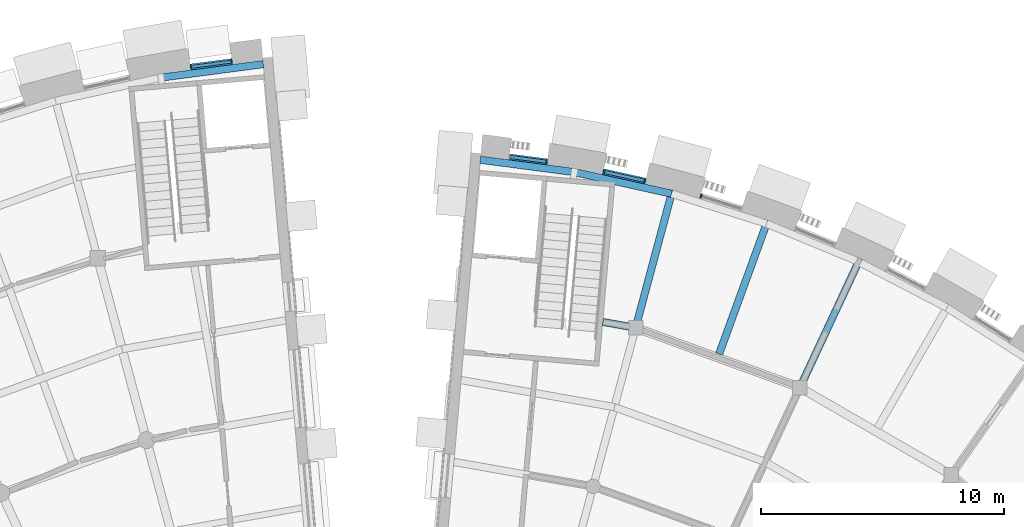
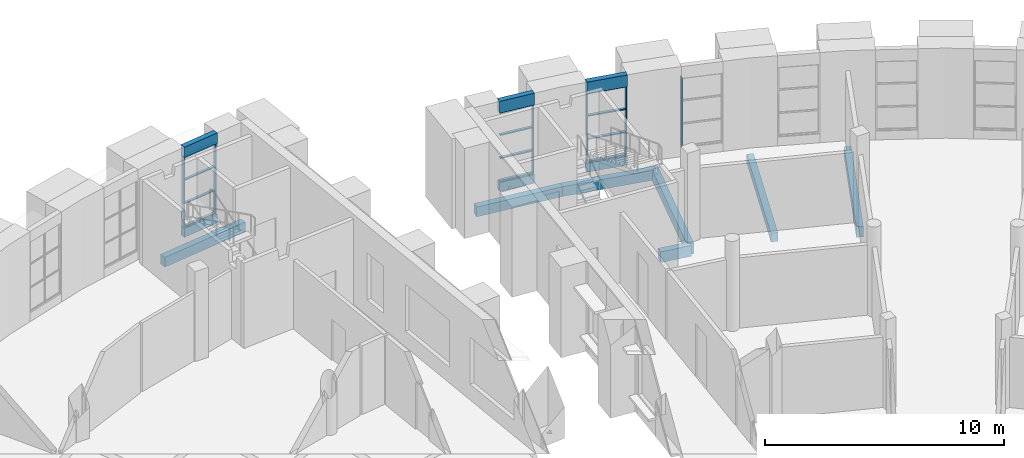
# One storey, part 23 of 66: 18 members, 13 beams, 4 elements without a shape of their own.
"""IFC4 building model written with IfcOpenShell, lengths in metres."""

from ifc_helpers import new_model, si_unit, direction, frame, origin, origin_2d, place, context, subcontext, project, spatial, rectangle, extrude, material, layer, layer_set, material_profile, profile_set, type_object, element, aggregate, save


model = new_model("IFC4")

# Units and contexts
model_context = context("Model", 3, precision=1e-05, world=origin(), true_north=direction((0.0, 1.0)))
body_context = subcontext(model_context, "Body", "Model", "MODEL_VIEW")
ifc_project = project(units=[si_unit("LENGTHUNIT", "METRE"), si_unit("AREAUNIT", "SQUARE_METRE"), si_unit("VOLUMEUNIT", "CUBIC_METRE"), si_unit("PLANEANGLEUNIT", "RADIAN"), si_unit("MASSUNIT", "GRAM", prefix="KILO")], contexts=[model_context])

# Site, building, storey
site_placement = place(None, origin())
site = spatial("IfcSite", under=ifc_project, at=site_placement, CompositionType="ELEMENT")
building_placement = place(site_placement, origin())
building = spatial("IfcBuilding", under=site, at=building_placement, Name="Volute Hill Aquarium", CompositionType="ELEMENT")
storey_placement = place(building_placement, frame((0.0, 0.0, 4.60009765625)))
storey = spatial("IfcBuildingStorey", under=building, at=storey_placement, Name="L02", CompositionType="ELEMENT", Elevation=4.60009765625)

# Beams
ifc_material_1 = material(Name="Concrete C35/45", Category="concrete")
ifc_material_profile_1 = material_profile(ifc_material_1, rectangle(XDim=0.300048828125, YDim=0.550048828125, at=origin_2d()), Name="RC beam 300x550")
ifc_profile_set_1 = profile_set([ifc_material_profile_1], Name="Concrete C35/45")
beam_type_1 = type_object("IfcBeamType", Name="Beam 300x550 C35/45", PredefinedType="BEAM", material=ifc_profile_set_1)
for number, where, z_axis, x_axis, name in (
    (1, (17.448974609375, 37.419189453125, -0.565185546875), (0.422609588136, 0.906311831554, 0.0), (-0.906311831554, 0.422609588136, 0.0), "bm/S5/L02/rad3.12"),
    (2, (10.68603515625, 39.880615234375, -0.565185546875), (0.258815877772, 0.965926674967, 0.0), (-0.965926674967, 0.258815877772, 0.0), "bm/S5/L02/rad4.16"),
):
    element("IfcBeam", number, at=place(storey_placement, frame(where, z_axis=z_axis, x_axis=x_axis)), inside=storey, type_object=beam_type_1, Name=name, PredefinedType="BEAM", context=body_context, shape_type="SweptSolid", body=[
        extrude(rectangle(XDim=0.300048828125, YDim=0.550048828125, at=origin_2d()), origin(), (0.0, 0.0, 1.0), 5.862548828125),
    ])
beam_1_placement = place(storey_placement, frame((10.68603515625, 39.880615234375, -0.565185546875), z_axis=(-0.984805002764, 0.173663774378, 0.0), x_axis=(-0.173663774378, -0.984805002764, 0.0)))
element("IfcBeam", 3, at=beam_1_placement, inside=storey, type_object=beam_type_1, Name="bm/S5/L02/ring3.31", PredefinedType="BEAM", context=body_context, shape_type="SweptSolid", body=[
    extrude(rectangle(XDim=0.300048828125, YDim=0.550048828125, at=origin_2d()), origin(), (0.0, 0.0, 1.0), 1.375),
])

# Curtain wall, member
ifc_material_2 = material(Name="Aluminium", Category="aluminium")
ifc_layer_1 = layer(ifc_material_2, 0.25)
ifc_layer_set_1 = layer_set([ifc_layer_1], Name="Curtain wall niche S5 module 1786")
curtain_wall_type_1 = type_object("IfcCurtainWallType", Name="Curtain wall niche S5 module 1786", PredefinedType="NOTDEFINED", material=ifc_layer_set_1)
curtain_wall_1_placement = place(storey_placement, origin())
curtain_wall_1 = element("IfcCurtainWall", 4, at=curtain_wall_1_placement, inside=storey, type_object=curtain_wall_type_1, Name="Curtain wall CW S5 L02 8", PredefinedType="NOTDEFINED")
ifc_material_3 = material(Name="Aluminium", Category="aluminium")
ifc_material_profile_2 = material_profile(ifc_material_3, rectangle(XDim=0.159912109375, YDim=0.06005859375, at=origin_2d()), Name="Curtain wall mullion S5 60x160")
ifc_profile_set_2 = profile_set([ifc_material_profile_2], Name="Aluminium")
member_type_1 = type_object("IfcMemberType", Name="Curtain wall mullion S5 60x160", PredefinedType="MULLION", material=ifc_profile_set_2)
member_1_placement = place(storey_placement, frame((13.37939453125, 45.30322265625, 0.449951171875), z_axis=(0.0, 0.0, 1.0), x_axis=(-0.300703569139, -0.953717653977, 0.0)))
member_1 = element("IfcMember", 5, at=member_1_placement, type_object=member_type_1, Name="CW mullion 2", PredefinedType="MULLION", context=body_context, shape_type="SweptSolid", body=[
    extrude(rectangle(XDim=0.159912109375, YDim=0.06005859375, at=origin_2d()), origin(), (0.0, 0.0, 1.0), 3.550048828125),
])
aggregate(curtain_wall_1, [member_1])

# Curtain wall, members
curtain_wall_2_placement = place(storey_placement, origin())
curtain_wall_2 = element("IfcCurtainWall", 6, at=curtain_wall_2_placement, inside=storey, type_object=curtain_wall_type_1, Name="Curtain wall CW S5 L02 9", PredefinedType="NOTDEFINED")
member_2_placement = place(storey_placement, frame((11.064697265625, 45.92333984375, 0.449951171875), z_axis=(0.0, 0.0, 1.0), x_axis=(-0.216422253758, -0.976299855617, 0.0)))
member_2 = element("IfcMember", 7, at=member_2_placement, type_object=member_type_1, Name="CW mullion 1", PredefinedType="MULLION", context=body_context, shape_type="SweptSolid", body=[
    extrude(rectangle(XDim=0.159912109375, YDim=0.06005859375, at=origin_2d()), origin(), (0.0, 0.0, 1.0), 3.550048828125),
])
member_3_placement = place(storey_placement, frame((9.3798828125, 46.296875, 0.449951171875), z_axis=(0.0, 0.0, 1.0), x_axis=(-0.216422253758, -0.976299855617, 0.0)))
member_3 = element("IfcMember", 8, at=member_3_placement, type_object=member_type_1, Name="CW mullion 2", PredefinedType="MULLION", context=body_context, shape_type="SweptSolid", body=[
    extrude(rectangle(XDim=0.159912109375, YDim=0.06005859375, at=origin_2d()), origin(), (0.0, 0.0, 1.0), 3.550048828125),
])

# Curtain wall, member
ifc_material_4 = material(Name="Aluminium", Category="aluminium")
ifc_layer_2 = layer(ifc_material_4, 0.25)
ifc_layer_set_2 = layer_set([ifc_layer_2], Name="Curtain wall niche S5 module 1585")
curtain_wall_type_2 = type_object("IfcCurtainWallType", Name="Curtain wall niche S5 module 1585", PredefinedType="NOTDEFINED", material=ifc_layer_set_2)
curtain_wall_3_placement = place(storey_placement, origin())
curtain_wall_3 = element("IfcCurtainWall", 9, at=curtain_wall_3_placement, inside=storey, type_object=curtain_wall_type_2, Name="Curtain wall CW S5 L02 10", PredefinedType="NOTDEFINED")
member_4_placement = place(storey_placement, frame((7.020263671875, 46.712890625, 0.449951171875), z_axis=(0.0, 0.0, 1.0), x_axis=(-0.130539029372, -0.991443171246, 0.0)))
member_4 = element("IfcMember", 10, at=member_4_placement, type_object=member_type_1, Name="CW mullion 1", PredefinedType="MULLION", context=body_context, shape_type="SweptSolid", body=[
    extrude(rectangle(XDim=0.159912109375, YDim=0.06005859375, at=origin_2d()), origin(), (0.0, 0.0, 1.0), 3.550048828125),
])

# Curtain wall, members
ifc_material_5 = material(Name="Aluminium", Category="aluminium")
ifc_layer_3 = layer(ifc_material_5, 0.25)
ifc_layer_set_3 = layer_set([ifc_layer_3], Name="Curtain wall niche S6 module 1734")
curtain_wall_type_3 = type_object("IfcCurtainWallType", Name="Curtain wall niche S6 module 1734", PredefinedType="NOTDEFINED", material=ifc_layer_set_3)
curtain_wall_4_placement = place(storey_placement, origin())
curtain_wall_4 = element("IfcCurtainWall", 11, at=curtain_wall_4_placement, inside=storey, type_object=curtain_wall_type_3, Name="Curtain wall CW S6 L02 1", PredefinedType="NOTDEFINED")
ifc_material_6 = material(Name="Aluminium", Category="aluminium")
ifc_material_profile_3 = material_profile(ifc_material_6, rectangle(XDim=0.169921875, YDim=0.050048828125, at=origin_2d()), Name="Curtain wall mullion S6 50x170")
ifc_profile_set_3 = profile_set([ifc_material_profile_3], Name="Aluminium")
member_type_2 = type_object("IfcMemberType", Name="Curtain wall mullion S6 50x170", PredefinedType="MULLION", material=ifc_profile_set_3)
member_5_placement = place(storey_placement, frame((-5.9443359375, 50.8349609375, 0.449951171875), z_axis=(0.0, 0.0, 1.0), x_axis=(0.130524493298, -0.99144508504, 0.0)))
member_5 = element("IfcMember", 12, at=member_5_placement, type_object=member_type_2, Name="CW mullion 1", PredefinedType="MULLION", context=body_context, shape_type="SweptSolid", body=[
    extrude(rectangle(XDim=0.169921875, YDim=0.050048828125, at=origin_2d()), origin(), (0.0, 0.0, 1.0), 3.599853515625),
])
member_6_placement = place(storey_placement, frame((-7.61376953125, 50.615234375, 0.449951171875), z_axis=(0.0, 0.0, 1.0), x_axis=(0.130524493298, -0.99144508504, 0.0)))
member_6 = element("IfcMember", 13, at=member_6_placement, type_object=member_type_2, Name="CW mullion 2", PredefinedType="MULLION", context=body_context, shape_type="SweptSolid", body=[
    extrude(rectangle(XDim=0.169921875, YDim=0.050048828125, at=origin_2d()), origin(), (0.0, 0.0, 1.0), 3.599853515625),
])

# Member
ifc_material_7 = material(Name="Aluminium", Category="aluminium")
ifc_material_profile_4 = material_profile(ifc_material_7, rectangle(XDim=0.1298828125, YDim=0.06005859375, at=origin_2d()), Name="Curtain wall transom S5 60x130")
ifc_profile_set_4 = profile_set([ifc_material_profile_4], Name="Aluminium")
member_type_3 = type_object("IfcMemberType", Name="Curtain wall transom S5 60x130", PredefinedType="USERDEFINED", material=ifc_profile_set_4)
member_7_placement = place(storey_placement, frame((11.035400390625, 45.929931640625, 0.47998046875), z_axis=(-0.976317934906, 0.216340680366, 0.0), x_axis=(-0.216340680366, -0.976317934906, 0.0)))
member_7 = element("IfcMember", 14, at=member_7_placement, type_object=member_type_3, Name="CW transom 1.1", ObjectType="TRANSOM", PredefinedType="USERDEFINED", context=body_context, shape_type="SweptSolid", body=[
    extrude(rectangle(XDim=0.1298828125, YDim=0.06005859375, at=origin_2d()), origin(), (0.0, 0.0, 1.0), 1.665771484375),
])

member_8_placement = place(storey_placement, frame((11.035400390625, 45.929931640625, 1.63330078125), z_axis=(-0.976317934906, 0.216340680366, 0.0), x_axis=(-0.216340680366, -0.976317934906, 0.0)))
member_8 = element("IfcMember", 15, at=member_8_placement, type_object=member_type_3, Name="CW transom 1.2", ObjectType="TRANSOM", PredefinedType="USERDEFINED", context=body_context, shape_type="SweptSolid", body=[
    extrude(rectangle(XDim=0.1298828125, YDim=0.06005859375, at=origin_2d()), origin(), (0.0, 0.0, 1.0), 1.665771484375),
])

member_9_placement = place(storey_placement, frame((11.035400390625, 45.929931640625, 2.816650390625), z_axis=(-0.976317934906, 0.216340680366, 0.0), x_axis=(-0.216340680366, -0.976317934906, 0.0)))
member_9 = element("IfcMember", 16, at=member_9_placement, type_object=member_type_3, Name="CW transom 1.3", ObjectType="TRANSOM", PredefinedType="USERDEFINED", context=body_context, shape_type="SweptSolid", body=[
    extrude(rectangle(XDim=0.1298828125, YDim=0.06005859375, at=origin_2d()), origin(), (0.0, 0.0, 1.0), 1.665771484375),
])

member_10_placement = place(storey_placement, frame((11.035400390625, 45.929931640625, 3.969970703125), z_axis=(-0.976317934906, 0.216340680366, 0.0), x_axis=(-0.216340680366, -0.976317934906, 0.0)))
member_10 = element("IfcMember", 17, at=member_10_placement, type_object=member_type_3, Name="CW transom 1.4", ObjectType="TRANSOM", PredefinedType="USERDEFINED", context=body_context, shape_type="SweptSolid", body=[
    extrude(rectangle(XDim=0.1298828125, YDim=0.06005859375, at=origin_2d()), origin(), (0.0, 0.0, 1.0), 1.665771484375),
])

aggregate(curtain_wall_2, [member_2, member_3, member_7, member_8, member_9, member_10])

member_11_placement = place(storey_placement, frame((6.990478515625, 46.716796875, 0.47998046875), z_axis=(-0.99143330185, 0.130613965493, 0.0), x_axis=(-0.130613965493, -0.99143330185, 0.0)))
member_11 = element("IfcMember", 18, at=member_11_placement, type_object=member_type_3, Name="CW transom 1.1", ObjectType="TRANSOM", PredefinedType="USERDEFINED", context=body_context, shape_type="SweptSolid", body=[
    extrude(rectangle(XDim=0.1298828125, YDim=0.06005859375, at=origin_2d()), origin(), (0.0, 0.0, 1.0), 1.46533203125),
])

member_12_placement = place(storey_placement, frame((6.990478515625, 46.716796875, 1.63330078125), z_axis=(-0.99143330185, 0.130613965493, 0.0), x_axis=(-0.130613965493, -0.99143330185, 0.0)))
member_12 = element("IfcMember", 19, at=member_12_placement, type_object=member_type_3, Name="CW transom 1.2", ObjectType="TRANSOM", PredefinedType="USERDEFINED", context=body_context, shape_type="SweptSolid", body=[
    extrude(rectangle(XDim=0.1298828125, YDim=0.06005859375, at=origin_2d()), origin(), (0.0, 0.0, 1.0), 1.46533203125),
])

member_13_placement = place(storey_placement, frame((6.990478515625, 46.716796875, 2.816650390625), z_axis=(-0.99143330185, 0.130613965493, 0.0), x_axis=(-0.130613965493, -0.99143330185, 0.0)))
member_13 = element("IfcMember", 20, at=member_13_placement, type_object=member_type_3, Name="CW transom 1.3", ObjectType="TRANSOM", PredefinedType="USERDEFINED", context=body_context, shape_type="SweptSolid", body=[
    extrude(rectangle(XDim=0.1298828125, YDim=0.06005859375, at=origin_2d()), origin(), (0.0, 0.0, 1.0), 1.46533203125),
])

member_14_placement = place(storey_placement, frame((6.990478515625, 46.716796875, 3.969970703125), z_axis=(-0.99143330185, 0.130613965493, 0.0), x_axis=(-0.130613965493, -0.99143330185, 0.0)))
member_14 = element("IfcMember", 21, at=member_14_placement, type_object=member_type_3, Name="CW transom 1.4", ObjectType="TRANSOM", PredefinedType="USERDEFINED", context=body_context, shape_type="SweptSolid", body=[
    extrude(rectangle(XDim=0.1298828125, YDim=0.06005859375, at=origin_2d()), origin(), (0.0, 0.0, 1.0), 1.46533203125),
])

aggregate(curtain_wall_3, [member_4, member_11, member_12, member_13, member_14])

ifc_material_8 = material(Name="Aluminium", Category="aluminium")
ifc_material_profile_5 = material_profile(ifc_material_8, rectangle(XDim=0.1201171875, YDim=0.050048828125, at=origin_2d()), Name="Curtain wall transom S6 50x120")
ifc_profile_set_5 = profile_set([ifc_material_profile_5], Name="Aluminium")
member_type_4 = type_object("IfcMemberType", Name="Curtain wall transom S6 50x120", PredefinedType="USERDEFINED", material=ifc_profile_set_5)
member_15_placement = place(storey_placement, frame((-5.96923828125, 50.83154296875, 0.474853515625), z_axis=(-0.991452260702, -0.130469976423, 0.0), x_axis=(0.130469976423, -0.991452260702, 0.0)))
member_15 = element("IfcMember", 22, at=member_15_placement, type_object=member_type_4, Name="CW transom 1.1", ObjectType="TRANSOM", PredefinedType="USERDEFINED", context=body_context, shape_type="SweptSolid", body=[
    extrude(rectangle(XDim=0.1201171875, YDim=0.050048828125, at=origin_2d()), origin(), (0.0, 0.0, 1.0), 1.633544921875),
])

member_16_placement = place(storey_placement, frame((-5.96923828125, 50.83154296875, 1.64990234375), z_axis=(-0.991452260702, -0.130469976423, 0.0), x_axis=(0.130469976423, -0.991452260702, 0.0)))
member_16 = element("IfcMember", 23, at=member_16_placement, type_object=member_type_4, Name="CW transom 1.2", ObjectType="TRANSOM", PredefinedType="USERDEFINED", context=body_context, shape_type="SweptSolid", body=[
    extrude(rectangle(XDim=0.1201171875, YDim=0.050048828125, at=origin_2d()), origin(), (0.0, 0.0, 1.0), 1.633544921875),
])

member_17_placement = place(storey_placement, frame((-5.96923828125, 50.83154296875, 2.849853515625), z_axis=(-0.991452260702, -0.130469976423, 0.0), x_axis=(0.130469976423, -0.991452260702, 0.0)))
member_17 = element("IfcMember", 24, at=member_17_placement, type_object=member_type_4, Name="CW transom 1.3", ObjectType="TRANSOM", PredefinedType="USERDEFINED", context=body_context, shape_type="SweptSolid", body=[
    extrude(rectangle(XDim=0.1201171875, YDim=0.050048828125, at=origin_2d()), origin(), (0.0, 0.0, 1.0), 1.633544921875),
])

member_18_placement = place(storey_placement, frame((-5.96923828125, 50.83154296875, 4.02490234375), z_axis=(-0.991452260702, -0.130469976423, 0.0), x_axis=(0.130469976423, -0.991452260702, 0.0)))
member_18 = element("IfcMember", 25, at=member_18_placement, type_object=member_type_4, Name="CW transom 1.4", ObjectType="TRANSOM", PredefinedType="USERDEFINED", context=body_context, shape_type="SweptSolid", body=[
    extrude(rectangle(XDim=0.1201171875, YDim=0.050048828125, at=origin_2d()), origin(), (0.0, 0.0, 1.0), 1.633544921875),
])

aggregate(curtain_wall_4, [member_5, member_6, member_15, member_16, member_17, member_18])

# Beams
ifc_material_9 = material(Name="Concrete C35/45", Category="concrete")
ifc_material_profile_6 = material_profile(ifc_material_9, rectangle(XDim=0.300048828125, YDim=0.5, at=origin_2d()), Name="RC edge beam 300x500")
ifc_profile_set_6 = profile_set([ifc_material_profile_6], Name="Concrete C35/45")
beam_type_2 = type_object("IfcBeamType", Name="Edge beam 300x500 C35/45", PredefinedType="BEAM", material=ifc_profile_set_6)
beam_2_placement = place(storey_placement, frame((12.16455078125, 45.3984375, -0.5400390625), z_axis=(-0.97629760978, 0.216432384677, 0.0), x_axis=(-0.216432384677, -0.97629760978, 0.0)))
element("IfcBeam", 26, at=beam_2_placement, inside=storey, type_object=beam_type_2, Name="bm/S5/L02/edgeO.50", PredefinedType="BEAM", context=body_context, shape_type="SweptSolid", body=[
    extrude(rectangle(XDim=0.300048828125, YDim=0.5, at=origin_2d()), origin(), (0.0, 0.0, 1.0), 4.100341796875),
])
beam_3_placement = place(storey_placement, frame((8.161376953125, 46.285888671875, -0.5400390625), z_axis=(-0.99144470424, 0.130527385764, 0.0), x_axis=(-0.130527385764, -0.99144470424, 0.0)))
element("IfcBeam", 27, at=beam_3_placement, inside=storey, type_object=beam_type_2, Name="bm/S5/L02/edgeO.51", PredefinedType="BEAM", context=body_context, shape_type="SweptSolid", body=[
    extrude(rectangle(XDim=0.300048828125, YDim=0.5, at=origin_2d()), origin(), (0.0, 0.0, 1.0), 3.89990234375),
])
beam_4_placement = place(storey_placement, frame((-4.63916015625, 50.72998046875, -0.570068359375), z_axis=(-0.991439606288, -0.130566102354, 0.0), x_axis=(0.130566102354, -0.991439606288, 0.0)))
element("IfcBeam", 28, at=beam_4_placement, inside=storey, type_object=beam_type_2, Name="bm/S6/L02/edgeO.42", PredefinedType="BEAM", context=body_context, shape_type="SweptSolid", body=[
    extrude(rectangle(XDim=0.300048828125, YDim=0.5, at=origin_2d()), origin(), (0.0, 0.0, 1.0), 4.24462890625),
])
ifc_material_10 = material(Name="Concrete C35/45", Category="concrete")
ifc_material_profile_7 = material_profile(ifc_material_10, rectangle(XDim=0.300048828125, YDim=0.449951171875, at=origin_2d()), Name="RC joist 300x450")
ifc_profile_set_7 = profile_set([ifc_material_profile_7], Name="Concrete C35/45")
beam_type_3 = type_object("IfcBeamType", Name="Joist 300x450 C35/45", PredefinedType="BEAM", material=ifc_profile_set_7)
beam_5_placement = place(storey_placement, frame((14.12109375, 38.797607421875, -0.51513671875), z_axis=(0.342033956796, 0.939687592979, 0.0), x_axis=(-0.939687592979, 0.342033956796, 0.0)))
element("IfcBeam", 29, at=beam_5_placement, inside=storey, type_object=beam_type_3, Name="bm/S5/L02/rjst4", PredefinedType="BEAM", context=body_context, shape_type="SweptSolid", body=[
    extrude(rectangle(XDim=0.300048828125, YDim=0.449951171875, at=origin_2d()), origin(), (0.0, 0.0, 1.0), 5.8623046875),
])
ifc_material_11 = material(Name="Concrete C35/45", Category="concrete")
ifc_material_profile_8 = material_profile(ifc_material_11, rectangle(XDim=0.25, YDim=0.550048828125, at=origin_2d()), Name="RC beam 250x550")
ifc_profile_set_8 = profile_set([ifc_material_profile_8], Name="Concrete C35/45")
beam_type_4 = type_object("IfcBeamType", Name="Niche head beam RC 250x550 C35/45", PredefinedType="BEAM", material=ifc_profile_set_8)
beam_6_placement = place(storey_placement, frame((-5.919677734375, 50.838134765625, 4.324951171875), z_axis=(-0.991441828204, -0.130549229367, 0.0), x_axis=(0.130549229367, -0.991441828204, 0.0)))
element("IfcBeam", 30, at=beam_6_placement, inside=storey, type_object=beam_type_4, Name="Niche head beam OWB S6 L02 1", PredefinedType="BEAM", context=body_context, shape_type="SweptSolid", body=[
    extrude(rectangle(XDim=0.25, YDim=0.550048828125, at=origin_2d()), origin(), (0.0, 0.0, 1.0), 1.733642578125),
])
ifc_material_12 = material(Name="Concrete C35/45", Category="concrete")
ifc_material_profile_9 = material_profile(ifc_material_12, rectangle(XDim=0.25, YDim=0.60009765625, at=origin_2d()), Name="RC beam 250x600")
ifc_profile_set_9 = profile_set([ifc_material_profile_9], Name="Concrete C35/45")
beam_type_5 = type_object("IfcBeamType", Name="Niche head beam RC 250x600 C35/45", PredefinedType="BEAM", material=ifc_profile_set_9)
beam_7_placement = place(storey_placement, frame((11.093994140625, 45.9169921875, 4.2998046875), z_axis=(-0.97629311454, 0.216452661109, 0.0), x_axis=(-0.216452661109, -0.97629311454, 0.0)))
element("IfcBeam", 31, at=beam_7_placement, inside=storey, type_object=beam_type_5, Name="Niche head beam OWB S5 L02 9", PredefinedType="BEAM", context=body_context, shape_type="SweptSolid", body=[
    extrude(rectangle(XDim=0.25, YDim=0.60009765625, at=origin_2d()), origin(), (0.0, 0.0, 1.0), 1.785400390625),
])
beam_8_placement = place(storey_placement, frame((7.0498046875, 46.708984375, 4.2998046875), z_axis=(-0.991436464923, 0.130589953752, 0.0), x_axis=(-0.130589953752, -0.991436464923, 0.0)))
element("IfcBeam", 32, at=beam_8_placement, inside=storey, type_object=beam_type_5, Name="Niche head beam OWB S5 L02 10", PredefinedType="BEAM", context=body_context, shape_type="SweptSolid", body=[
    extrude(rectangle(XDim=0.25, YDim=0.60009765625, at=origin_2d()), origin(), (0.0, 0.0, 1.0), 1.58544921875),
])
ifc_material_13 = material(Name="Concrete C35/45", Category="concrete")
ifc_material_profile_10 = material_profile(ifc_material_13, rectangle(XDim=0.25, YDim=0.449951171875, at=origin_2d()), Name="RC beam 250x450")
ifc_profile_set_10 = profile_set([ifc_material_profile_10], Name="Concrete C35/45")
beam_type_6 = type_object("IfcBeamType", Name="Niche sill beam RC 250x450 C35/45", PredefinedType="BEAM", material=ifc_profile_set_10)
beam_9_placement = place(storey_placement, frame((11.093994140625, 45.9169921875, 0.224853515625), z_axis=(-0.97629311454, 0.216452661109, 0.0), x_axis=(-0.216452661109, -0.97629311454, 0.0)))
element("IfcBeam", 33, at=beam_9_placement, inside=storey, type_object=beam_type_6, Name="Niche sill beam OWB S5 L02 9", PredefinedType="BEAM", context=body_context, shape_type="SweptSolid", body=[
    extrude(rectangle(XDim=0.25, YDim=0.449951171875, at=origin_2d()), origin(), (0.0, 0.0, 1.0), 1.785400390625),
])
beam_10_placement = place(storey_placement, frame((7.0498046875, 46.708984375, 0.224853515625), z_axis=(-0.991436464923, 0.130589953752, 0.0), x_axis=(-0.130589953752, -0.991436464923, 0.0)))
element("IfcBeam", 34, at=beam_10_placement, inside=storey, type_object=beam_type_6, Name="Niche sill beam OWB S5 L02 10", PredefinedType="BEAM", context=body_context, shape_type="SweptSolid", body=[
    extrude(rectangle(XDim=0.25, YDim=0.449951171875, at=origin_2d()), origin(), (0.0, 0.0, 1.0), 1.58544921875),
])
beam_11_placement = place(storey_placement, frame((-5.919677734375, 50.838134765625, 0.224853515625), z_axis=(-0.991441828204, -0.130549229367, 0.0), x_axis=(0.130549229367, -0.991441828204, 0.0)))
element("IfcBeam", 35, at=beam_11_placement, inside=storey, type_object=beam_type_6, Name="Niche sill beam OWB S6 L02 1", PredefinedType="BEAM", context=body_context, shape_type="SweptSolid", body=[
    extrude(rectangle(XDim=0.25, YDim=0.449951171875, at=origin_2d()), origin(), (0.0, 0.0, 1.0), 1.733642578125),
])

save(model, "model.ifc")
